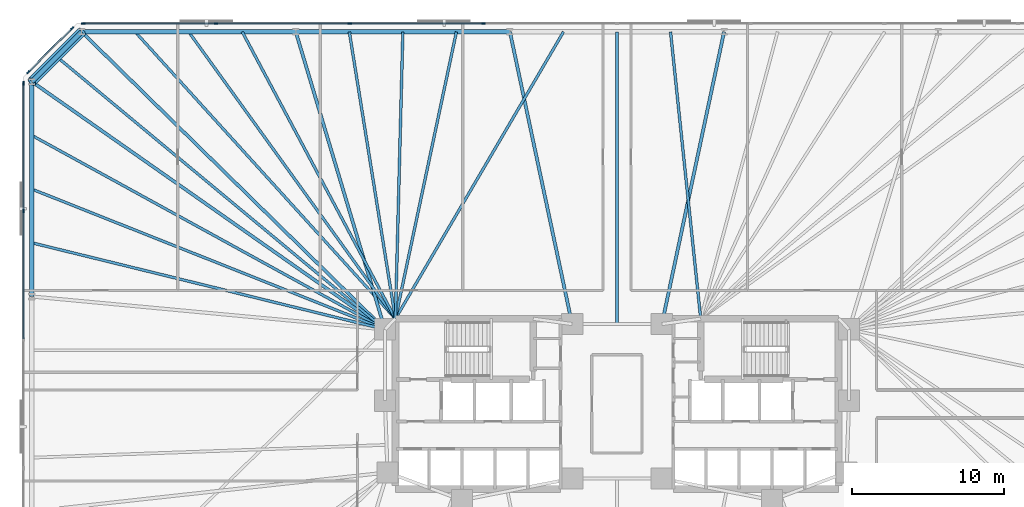
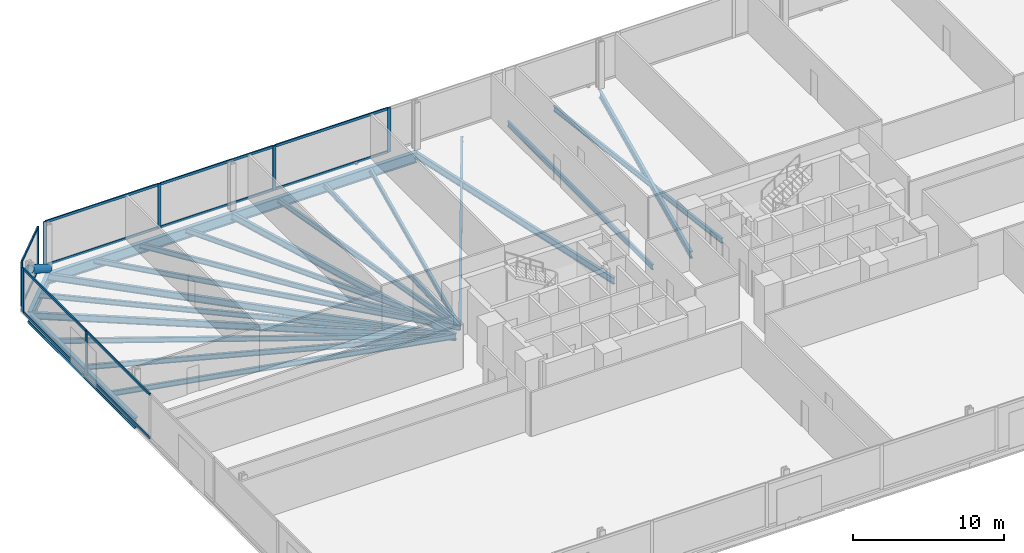
# One storey, part 8 of 16: 22 beams, 21 members, 3 elements without a shape of their own.
"""IFC4 building model written with IfcOpenShell, lengths in metres."""

from ifc_helpers import new_model, si_unit, direction, frame, origin, origin_2d, place, context, subcontext, project, spatial, rectangle, hollow_circle, i_section, extrude, material, material_profile, profile_set, type_object, element, aggregate, save


model = new_model("IFC4")

# Units and contexts
model_context = context("Model", 3, precision=1e-05, world=origin(), true_north=direction((0.0, 1.0)))
body_context = subcontext(model_context, "Body", "Model", "MODEL_VIEW")
ifc_project = project(units=[si_unit("LENGTHUNIT", "METRE"), si_unit("AREAUNIT", "SQUARE_METRE"), si_unit("VOLUMEUNIT", "CUBIC_METRE"), si_unit("PLANEANGLEUNIT", "RADIAN"), si_unit("MASSUNIT", "GRAM", prefix="KILO")], contexts=[model_context])

# Site, building, storey
site_placement = place(None, origin())
site = spatial("IfcSite", under=ifc_project, at=site_placement, CompositionType="ELEMENT")
building_placement = place(site_placement, origin())
building = spatial("IfcBuilding", under=site, at=building_placement, Name="Menara Jurai Vektor", CompositionType="ELEMENT")
storey_placement = place(building_placement, frame((0.0, 0.0, 33.199951171875)))
storey = spatial("IfcBuildingStorey", under=building, at=storey_placement, Name="L07", CompositionType="ELEMENT", Elevation=33.199951171875)

# Curtain wall, members
ifc_material_1 = material(Name="Anodised Pale Aluminium & Low-E Double Glazing", Category="aluminium")
curtain_wall_type = type_object("IfcCurtainWallType", Name="CW-BLK1", PredefinedType="NOTDEFINED", material=ifc_material_1)
curtain_wall_1_placement = place(storey_placement, origin())
curtain_wall_1 = element("IfcCurtainWall", 1, at=curtain_wall_1_placement, inside=storey, type_object=curtain_wall_type, Name="Unitised Curtain Wall L07 F05", PredefinedType="NOTDEFINED")
ifc_material_2 = material(Name="Anodised Pale Aluminium Mullion", Category="aluminium")
ifc_material_profile_1 = material_profile(ifc_material_2, rectangle(XDim=0.094970703125, YDim=0.239990234375, at=origin_2d()), Name="ALU MUL 95x240")
ifc_profile_set_1 = profile_set([ifc_material_profile_1], Name="Anodised Pale Aluminium Mullion")
member_type_1 = type_object("IfcMemberType", Name="CW-BLK1-MUL", PredefinedType="MULLION", material=ifc_profile_set_1)
member_1_placement = place(storey_placement, frame((-8.780029296875, 25.0, 0.0), z_axis=(0.0, 0.0, 1.0), x_axis=(0.0, -1.0, 0.0)))
member_1 = element("IfcMember", 2, at=member_1_placement, type_object=member_type_1, Name="CW-01 mullion 6", PredefinedType="MULLION", context=body_context, shape_type="SweptSolid", body=[
    extrude(rectangle(XDim=0.094970703125, YDim=0.239990234375, at=origin_2d()), origin(), (0.0, 0.0, 1.0), 3.574951171875),
])
member_2_placement = place(storey_placement, frame((-17.56005859375, 25.0, 0.0), z_axis=(0.0, 0.0, 1.0), x_axis=(0.0, -1.0, 0.0)))
member_2 = element("IfcMember", 3, at=member_2_placement, type_object=member_type_1, Name="CW-01 mullion 7", PredefinedType="MULLION", context=body_context, shape_type="SweptSolid", body=[
    extrude(rectangle(XDim=0.094970703125, YDim=0.239990234375, at=origin_2d()), origin(), (0.0, 0.0, 1.0), 3.574951171875),
])
member_3_placement = place(storey_placement, frame((-26.340087890625, 25.0, 0.0), z_axis=(0.0, 0.0, 1.0), x_axis=(0.0, -1.0, 0.0)))
member_3 = element("IfcMember", 4, at=member_3_placement, type_object=member_type_1, Name="CW-01 mullion 8", PredefinedType="MULLION", context=body_context, shape_type="SweptSolid", body=[
    extrude(rectangle(XDim=0.094970703125, YDim=0.239990234375, at=origin_2d()), origin(), (0.0, 0.0, 1.0), 3.574951171875),
])
member_4_placement = place(storey_placement, frame((-35.072509765625, 25.0, 0.0), z_axis=(0.0, 0.0, 1.0), x_axis=(0.0, -1.0, 0.0)))
member_4 = element("IfcMember", 5, at=member_4_placement, type_object=member_type_1, Name="CW-01 mullion 9", PredefinedType="MULLION", context=body_context, shape_type="SweptSolid", body=[
    extrude(rectangle(XDim=0.094970703125, YDim=0.239990234375, at=origin_2d()), origin(), (0.0, 0.0, 1.0), 3.574951171875),
])

curtain_wall_2_placement = place(storey_placement, origin())
curtain_wall_2 = element("IfcCurtainWall", 6, at=curtain_wall_2_placement, inside=storey, type_object=curtain_wall_type, Name="Unitised Curtain Wall L07 F06", PredefinedType="NOTDEFINED")
member_5_placement = place(storey_placement, frame((-35.80224609375, 24.69775390625, 0.0), z_axis=(0.0, 0.0, 1.0), x_axis=(0.707106781187, -0.707106781187, 0.0)))
member_5 = element("IfcMember", 7, at=member_5_placement, type_object=member_type_1, Name="CW-01 mullion 1", PredefinedType="MULLION", context=body_context, shape_type="SweptSolid", body=[
    extrude(rectangle(XDim=0.094970703125, YDim=0.239990234375, at=origin_2d()), origin(), (0.0, 0.0, 1.0), 3.574951171875),
])
member_6_placement = place(storey_placement, frame((-38.69775390625, 21.80224609375, 0.0), z_axis=(0.0, 0.0, 1.0), x_axis=(0.707106781187, -0.707106781187, 0.0)))
member_6 = element("IfcMember", 8, at=member_6_placement, type_object=member_type_1, Name="CW-01 mullion 2", PredefinedType="MULLION", context=body_context, shape_type="SweptSolid", body=[
    extrude(rectangle(XDim=0.094970703125, YDim=0.239990234375, at=origin_2d()), origin(), (0.0, 0.0, 1.0), 3.574951171875),
])

curtain_wall_3_placement = place(storey_placement, origin())
curtain_wall_3 = element("IfcCurtainWall", 9, at=curtain_wall_3_placement, inside=storey, type_object=curtain_wall_type, Name="Unitised Curtain Wall L07 F07", PredefinedType="NOTDEFINED")
member_7_placement = place(storey_placement, frame((-39.0, 21.072509765625, 0.0), z_axis=(0.0, 0.0, 1.0), x_axis=(1.0, 0.0, 0.0)))
member_7 = element("IfcMember", 10, at=member_7_placement, type_object=member_type_1, Name="CW-01 mullion 1", PredefinedType="MULLION", context=body_context, shape_type="SweptSolid", body=[
    extrude(rectangle(XDim=0.094970703125, YDim=0.239990234375, at=origin_2d()), origin(), (0.0, 0.0, 1.0), 3.574951171875),
])
member_8_placement = place(storey_placement, frame((-39.0, 12.672119140625, 0.0), z_axis=(0.0, 0.0, 1.0), x_axis=(1.0, 0.0, 0.0)))
member_8 = element("IfcMember", 11, at=member_8_placement, type_object=member_type_1, Name="CW-01 mullion 2", PredefinedType="MULLION", context=body_context, shape_type="SweptSolid", body=[
    extrude(rectangle(XDim=0.094970703125, YDim=0.239990234375, at=origin_2d()), origin(), (0.0, 0.0, 1.0), 3.574951171875),
])

# Member
ifc_material_3 = material(Name="Anodised Pale Aluminium Transom", Category="aluminium")
ifc_material_profile_2 = material_profile(ifc_material_3, rectangle(XDim=0.094970703125, YDim=0.199951171875, at=origin_2d()), Name="ALU TRN 95x200")
ifc_profile_set_2 = profile_set([ifc_material_profile_2], Name="Anodised Pale Aluminium Transom")
member_type_2 = type_object("IfcMemberType", Name="CW-BLK1-TRN", PredefinedType="USERDEFINED", material=ifc_profile_set_2)
member_9_placement = place(storey_placement, frame((-8.827392578125, 25.0, 0.047607421875), z_axis=(-1.0, 0.0, 0.0), x_axis=(0.0, -1.0, 0.0)))
member_9 = element("IfcMember", 12, at=member_9_placement, type_object=member_type_2, Name="CW-01 transom 6.1", ObjectType="TRANSOM", PredefinedType="USERDEFINED", context=body_context, shape_type="SweptSolid", body=[
    extrude(rectangle(XDim=0.094970703125, YDim=0.199951171875, at=origin_2d()), origin(), (0.0, 0.0, 1.0), 8.68505859375),
])

member_10_placement = place(storey_placement, frame((-8.827392578125, 25.0, 3.527587890625), z_axis=(-1.0, 0.0, 0.0), x_axis=(0.0, -1.0, 0.0)))
member_10 = element("IfcMember", 13, at=member_10_placement, type_object=member_type_2, Name="CW-01 transom 6.2", ObjectType="TRANSOM", PredefinedType="USERDEFINED", context=body_context, shape_type="SweptSolid", body=[
    extrude(rectangle(XDim=0.094970703125, YDim=0.199951171875, at=origin_2d()), origin(), (0.0, 0.0, 1.0), 8.68505859375),
])

member_11_placement = place(storey_placement, frame((-17.607421875, 25.0, 0.047607421875), z_axis=(-1.0, 0.0, 0.0), x_axis=(0.0, -1.0, 0.0)))
member_11 = element("IfcMember", 14, at=member_11_placement, type_object=member_type_2, Name="CW-01 transom 7.1", ObjectType="TRANSOM", PredefinedType="USERDEFINED", context=body_context, shape_type="SweptSolid", body=[
    extrude(rectangle(XDim=0.094970703125, YDim=0.199951171875, at=origin_2d()), origin(), (0.0, 0.0, 1.0), 8.68505859375),
])

member_12_placement = place(storey_placement, frame((-17.607421875, 25.0, 3.527587890625), z_axis=(-1.0, 0.0, 0.0), x_axis=(0.0, -1.0, 0.0)))
member_12 = element("IfcMember", 15, at=member_12_placement, type_object=member_type_2, Name="CW-01 transom 7.2", ObjectType="TRANSOM", PredefinedType="USERDEFINED", context=body_context, shape_type="SweptSolid", body=[
    extrude(rectangle(XDim=0.094970703125, YDim=0.199951171875, at=origin_2d()), origin(), (0.0, 0.0, 1.0), 8.68505859375),
])

member_13_placement = place(storey_placement, frame((-26.387451171875, 25.0, 0.047607421875), z_axis=(-1.0, 0.0, 0.0), x_axis=(0.0, -1.0, 0.0)))
member_13 = element("IfcMember", 16, at=member_13_placement, type_object=member_type_2, Name="CW-01 transom 8.1", ObjectType="TRANSOM", PredefinedType="USERDEFINED", context=body_context, shape_type="SweptSolid", body=[
    extrude(rectangle(XDim=0.094970703125, YDim=0.199951171875, at=origin_2d()), origin(), (0.0, 0.0, 1.0), 8.637451171875),
])

member_14_placement = place(storey_placement, frame((-26.387451171875, 25.0, 3.527587890625), z_axis=(-1.0, 0.0, 0.0), x_axis=(0.0, -1.0, 0.0)))
member_14 = element("IfcMember", 17, at=member_14_placement, type_object=member_type_2, Name="CW-01 transom 8.2", ObjectType="TRANSOM", PredefinedType="USERDEFINED", context=body_context, shape_type="SweptSolid", body=[
    extrude(rectangle(XDim=0.094970703125, YDim=0.199951171875, at=origin_2d()), origin(), (0.0, 0.0, 1.0), 8.637451171875),
])

aggregate(curtain_wall_1, [member_1, member_2, member_3, member_4, member_9, member_10, member_11, member_12, member_13, member_14])

member_15_placement = place(storey_placement, frame((-35.8359375, 24.6640625, 0.047607421875), z_axis=(-0.707106781187, -0.707106781187, 0.0), x_axis=(0.707106781187, -0.707106781187, 0.0)))
member_15 = element("IfcMember", 18, at=member_15_placement, type_object=member_type_2, Name="CW-01 transom 1.1", ObjectType="TRANSOM", PredefinedType="USERDEFINED", context=body_context, shape_type="SweptSolid", body=[
    extrude(rectangle(XDim=0.094970703125, YDim=0.199951171875, at=origin_2d()), origin(), (0.0, 0.0, 1.0), 3.99951171875),
])

member_16_placement = place(storey_placement, frame((-35.8359375, 24.6640625, 3.527587890625), z_axis=(-0.707106781187, -0.707106781187, 0.0), x_axis=(0.707106781187, -0.707106781187, 0.0)))
member_16 = element("IfcMember", 19, at=member_16_placement, type_object=member_type_2, Name="CW-01 transom 1.2", ObjectType="TRANSOM", PredefinedType="USERDEFINED", context=body_context, shape_type="SweptSolid", body=[
    extrude(rectangle(XDim=0.094970703125, YDim=0.199951171875, at=origin_2d()), origin(), (0.0, 0.0, 1.0), 3.99951171875),
])

aggregate(curtain_wall_2, [member_5, member_6, member_15, member_16])

member_17_placement = place(storey_placement, frame((-39.0, 21.02490234375, 0.047607421875), z_axis=(0.0, -1.0, 0.0), x_axis=(1.0, 0.0, 0.0)))
member_17 = element("IfcMember", 20, at=member_17_placement, type_object=member_type_2, Name="CW-01 transom 1.1", ObjectType="TRANSOM", PredefinedType="USERDEFINED", context=body_context, shape_type="SweptSolid", body=[
    extrude(rectangle(XDim=0.094970703125, YDim=0.199951171875, at=origin_2d()), origin(), (0.0, 0.0, 1.0), 8.305419921875),
])

member_18_placement = place(storey_placement, frame((-39.0, 21.02490234375, 3.527587890625), z_axis=(0.0, -1.0, 0.0), x_axis=(1.0, 0.0, 0.0)))
member_18 = element("IfcMember", 21, at=member_18_placement, type_object=member_type_2, Name="CW-01 transom 1.2", ObjectType="TRANSOM", PredefinedType="USERDEFINED", context=body_context, shape_type="SweptSolid", body=[
    extrude(rectangle(XDim=0.094970703125, YDim=0.199951171875, at=origin_2d()), origin(), (0.0, 0.0, 1.0), 8.305419921875),
])

member_19_placement = place(storey_placement, frame((-39.0, 12.62451171875, 0.047607421875), z_axis=(0.0, -1.0, 0.0), x_axis=(1.0, 0.0, 0.0)))
member_19 = element("IfcMember", 22, at=member_19_placement, type_object=member_type_2, Name="CW-01 transom 2.1", ObjectType="TRANSOM", PredefinedType="USERDEFINED", context=body_context, shape_type="SweptSolid", body=[
    extrude(rectangle(XDim=0.094970703125, YDim=0.199951171875, at=origin_2d()), origin(), (0.0, 0.0, 1.0), 8.35302734375),
])

member_20_placement = place(storey_placement, frame((-39.0, 12.62451171875, 3.527587890625), z_axis=(0.0, -1.0, 0.0), x_axis=(1.0, 0.0, 0.0)))
member_20 = element("IfcMember", 23, at=member_20_placement, type_object=member_type_2, Name="CW-01 transom 2.2", ObjectType="TRANSOM", PredefinedType="USERDEFINED", context=body_context, shape_type="SweptSolid", body=[
    extrude(rectangle(XDim=0.094970703125, YDim=0.199951171875, at=origin_2d()), origin(), (0.0, 0.0, 1.0), 8.35302734375),
])

aggregate(curtain_wall_3, [member_7, member_8, member_17, member_18, member_19, member_20])

# Beams
ifc_material_4 = material(Name="Steel S355", Category="steel")
ifc_material_profile_3 = material_profile(ifc_material_4, i_section(OverallWidth=0.2109375, OverallDepth=0.5390625, WebThickness=0.011962890625, FlangeThickness=0.01904296875, FilletRadius=0.012939453125, at=origin_2d()), Name="UKB 533x210x109")
ifc_profile_set_3 = profile_set([ifc_material_profile_3], Name="Steel S355")
beam_type_1 = type_object("IfcBeamType", Name="STR-BM-533", PredefinedType="BEAM", material=ifc_profile_set_3)
for number, where, z_axis, x_axis, name in (
    (24, (7.03564453125, 24.449951171875, -0.494384765625), (-0.2081367579, -0.978099734184, 0.0), (0.978099734184, -0.2081367579, 0.0), "Radial Floor Girder L07-N3"),
    (25, (-7.03564453125, 24.449951171875, -0.494384765625), (0.2081367579, -0.978099734184, 0.0), (0.978099734184, 0.2081367579, 0.0), "Radial Floor Girder L07-N4"),
):
    element("IfcBeam", number, at=place(storey_placement, frame(where, z_axis=z_axis, x_axis=x_axis)), inside=storey, type_object=beam_type_1, Name=name, PredefinedType="BEAM", context=body_context, shape_type="SweptSolid", body=[
        extrude(i_section(OverallWidth=0.2109375, OverallDepth=0.5390625, WebThickness=0.011962890625, FlangeThickness=0.01904296875, FilletRadius=0.012939453125, at=origin_2d()), origin(), (0.0, 0.0, 1.0), 19.6298828125),
    ])
beam_1_placement = place(storey_placement, frame((-21.106689453125, 24.449951171875, -0.494384765625), z_axis=(0.286973617166, -0.957938486047, 0.0), x_axis=(0.957938486047, 0.286973617166, 0.0)))
element("IfcBeam", 26, at=beam_1_placement, inside=storey, type_object=beam_type_1, Name="Radial Floor Girder L07-N5", PredefinedType="BEAM", context=body_context, shape_type="SweptSolid", body=[
    extrude(i_section(OverallWidth=0.2109375, OverallDepth=0.5390625, WebThickness=0.011962890625, FlangeThickness=0.01904296875, FilletRadius=0.012939453125, at=origin_2d()), origin(), (0.0, 0.0, 1.0), 20.408447265625),
])
beam_2_placement = place(storey_placement, frame((-35.177734375, 24.449951171875, -0.494384765625), z_axis=(0.713839032855, -0.700309813706, 0.0), x_axis=(0.700309813706, 0.713839032855, 0.0)))
element("IfcBeam", 27, at=beam_2_placement, inside=storey, type_object=beam_type_1, Name="Radial Floor Girder L07-N6", PredefinedType="BEAM", context=body_context, shape_type="SweptSolid", body=[
    extrude(i_section(OverallWidth=0.2109375, OverallDepth=0.5390625, WebThickness=0.011962890625, FlangeThickness=0.01904296875, FilletRadius=0.012939453125, at=origin_2d()), origin(), (0.0, 0.0, 1.0), 27.916259765625),
])
beam_3_placement = place(storey_placement, frame((-38.449951171875, 21.177734375, -0.494384765625), z_axis=(0.818603732445, -0.574358711283, 0.0), x_axis=(0.574358711283, 0.818603732445, 0.0)))
element("IfcBeam", 28, at=beam_3_placement, inside=storey, type_object=beam_type_1, Name="Radial Floor Girder L07-W1", PredefinedType="BEAM", context=body_context, shape_type="SweptSolid", body=[
    extrude(i_section(OverallWidth=0.2109375, OverallDepth=0.5390625, WebThickness=0.011962890625, FlangeThickness=0.01904296875, FilletRadius=0.012939453125, at=origin_2d()), origin(), (0.0, 0.0, 1.0), 28.3408203125),
])

# Member
ifc_material_5 = material(Name="Steel S460", Category="steel")
ifc_material_profile_4 = material_profile(ifc_material_5, hollow_circle(Radius=0.304931640625, WallThickness=0.02490234375, at=origin_2d()), Name="CHS 610x25")
ifc_profile_set_4 = profile_set([ifc_material_profile_4], Name="Steel S460")
member_type_3 = type_object("IfcMemberType", Name="STR-BR-610", PredefinedType="BRACE", material=ifc_profile_set_4)
member_21_placement = place(storey_placement, frame((-35.177734375, 24.449951171875, 0.150146484375), z_axis=(-0.588942422958, -0.588942422958, 0.553438022619), x_axis=(0.707106781187, -0.707106781187, 0.0)))
element("IfcMember", 29, at=member_21_placement, inside=storey, type_object=member_type_3, Name="Exoskeleton Corner Brace L07-3", PredefinedType="BRACE", context=body_context, shape_type="SweptSolid", body=[
    extrude(hollow_circle(Radius=0.304931640625, WallThickness=0.02490234375, at=origin_2d()), origin(), (0.0, 0.0, 1.0), 5.55615234375),
])

# Beams
ifc_material_profile_5 = material_profile(ifc_material_4, i_section(OverallWidth=0.178955078125, OverallDepth=0.408935546875, WebThickness=0.009033203125, FlangeThickness=0.013916015625, FilletRadius=0.010009765625, at=origin_2d()), Name="UKB 406x178x67")
ifc_profile_set_5 = profile_set([ifc_material_profile_5], Name="Steel S355")
beam_type_2 = type_object("IfcBeamType", Name="STR-JS-406", PredefinedType="JOIST", material=ifc_profile_set_5)
beam_4_placement = place(storey_placement, frame((3.517822265625, 24.449951171875, -0.429443359375), z_axis=(0.104579513969, -0.994516528399, 0.0), x_axis=(0.994516528399, 0.104579513969, 0.0)))
element("IfcBeam", 30, at=beam_4_placement, inside=storey, type_object=beam_type_2, Name="Radial Secondary Floor Joist L07-JS22", PredefinedType="JOIST", context=body_context, shape_type="SweptSolid", body=[
    extrude(i_section(OverallWidth=0.178955078125, OverallDepth=0.408935546875, WebThickness=0.009033203125, FlangeThickness=0.013916015625, FilletRadius=0.010009765625, at=origin_2d()), origin(), (0.0, 0.0, 1.0), 18.953857421875),
])
beam_5_placement = place(storey_placement, frame((0.0, 24.449951171875, -0.429443359375), z_axis=(0.0, -1.0, 0.0), x_axis=(1.0, 0.0, 0.0)))
element("IfcBeam", 31, at=beam_5_placement, inside=storey, type_object=beam_type_2, Name="Radial Secondary Floor Joist L07-JS23", PredefinedType="JOIST", context=body_context, shape_type="SweptSolid", body=[
    extrude(i_section(OverallWidth=0.178955078125, OverallDepth=0.408935546875, WebThickness=0.009033203125, FlangeThickness=0.013916015625, FilletRadius=0.010009765625, at=origin_2d()), origin(), (0.0, 0.0, 1.0), 19.199951171875),
])
beam_6_placement = place(storey_placement, frame((-3.517822265625, 24.449951171875, -0.429443359375), z_axis=(-0.505457909797, -0.862851262631, 0.0), x_axis=(0.862851262631, -0.505457909797, 0.0)))
element("IfcBeam", 32, at=beam_6_placement, inside=storey, type_object=beam_type_2, Name="Radial Secondary Floor Joist L07-JS24", PredefinedType="JOIST", context=body_context, shape_type="SweptSolid", body=[
    extrude(i_section(OverallWidth=0.178955078125, OverallDepth=0.408935546875, WebThickness=0.009033203125, FlangeThickness=0.013916015625, FilletRadius=0.010009765625, at=origin_2d()), origin(), (0.0, 0.0, 1.0), 21.845947265625),
])
beam_7_placement = place(storey_placement, frame((-10.55322265625, 24.449951171875, -0.429443359375), z_axis=(-0.207920423262, -0.978145744555, 0.0), x_axis=(0.978145744555, -0.207920423262, 0.0)))
element("IfcBeam", 33, at=beam_7_placement, inside=storey, type_object=beam_type_2, Name="Radial Secondary Floor Joist L07-JS25", PredefinedType="JOIST", context=body_context, shape_type="SweptSolid", body=[
    extrude(i_section(OverallWidth=0.178955078125, OverallDepth=0.408935546875, WebThickness=0.009033203125, FlangeThickness=0.013916015625, FilletRadius=0.010009765625, at=origin_2d()), origin(), (0.0, 0.0, 1.0), 19.27099609375),
])
beam_8_placement = place(storey_placement, frame((-14.071044921875, 24.449951171875, -0.429443359375), z_axis=(-0.02593384597, -0.999663661255, 0.0), x_axis=(0.999663661255, -0.02593384597, 0.0)))
element("IfcBeam", 34, at=beam_8_placement, inside=storey, type_object=beam_type_2, Name="Radial Secondary Floor Joist L07-JS26", PredefinedType="JOIST", context=body_context, shape_type="SweptSolid", body=[
    extrude(i_section(OverallWidth=0.178955078125, OverallDepth=0.408935546875, WebThickness=0.009033203125, FlangeThickness=0.013916015625, FilletRadius=0.010009765625, at=origin_2d()), origin(), (0.0, 0.0, 1.0), 18.856201171875),
])
beam_9_placement = place(storey_placement, frame((-17.5888671875, 24.449951171875, -0.429443359375), z_axis=(0.158645817656, -0.987335558227, 0.0), x_axis=(0.987335558227, 0.158645817656, 0.0)))
element("IfcBeam", 35, at=beam_9_placement, inside=storey, type_object=beam_type_2, Name="Radial Secondary Floor Joist L07-JS27", PredefinedType="JOIST", context=body_context, shape_type="SweptSolid", body=[
    extrude(i_section(OverallWidth=0.178955078125, OverallDepth=0.408935546875, WebThickness=0.009033203125, FlangeThickness=0.013916015625, FilletRadius=0.010009765625, at=origin_2d()), origin(), (0.0, 0.0, 1.0), 19.091552734375),
])
beam_10_placement = place(storey_placement, frame((-24.62451171875, 24.449951171875, -0.429443359375), z_axis=(0.470996174599, -0.882135252392, 0.0), x_axis=(0.882135252392, 0.470996174599, 0.0)))
element("IfcBeam", 36, at=beam_10_placement, inside=storey, type_object=beam_type_2, Name="Radial Secondary Floor Joist L07-JS28", PredefinedType="JOIST", context=body_context, shape_type="SweptSolid", body=[
    extrude(i_section(OverallWidth=0.178955078125, OverallDepth=0.408935546875, WebThickness=0.009033203125, FlangeThickness=0.013916015625, FilletRadius=0.010009765625, at=origin_2d()), origin(), (0.0, 0.0, 1.0), 21.368408203125),
])
beam_11_placement = place(storey_placement, frame((-28.142333984375, 24.449951171875, -0.429443359375), z_axis=(0.584598948369, -0.811322420229, 0.0), x_axis=(0.811322420229, 0.584598948369, 0.0)))
element("IfcBeam", 37, at=beam_11_placement, inside=storey, type_object=beam_type_2, Name="Radial Secondary Floor Joist L07-JS29", PredefinedType="JOIST", context=body_context, shape_type="SweptSolid", body=[
    extrude(i_section(OverallWidth=0.178955078125, OverallDepth=0.408935546875, WebThickness=0.009033203125, FlangeThickness=0.013916015625, FilletRadius=0.010009765625, at=origin_2d()), origin(), (0.0, 0.0, 1.0), 23.2333984375),
])
beam_12_placement = place(storey_placement, frame((-31.659912109375, 24.449951171875, -0.429443359375), z_axis=(0.671889844346, -0.740651089964, 0.0), x_axis=(0.740651089964, 0.671889844346, 0.0)))
element("IfcBeam", 38, at=beam_12_placement, inside=storey, type_object=beam_type_2, Name="Radial Secondary Floor Joist L07-JS30", PredefinedType="JOIST", context=body_context, shape_type="SweptSolid", body=[
    extrude(i_section(OverallWidth=0.178955078125, OverallDepth=0.408935546875, WebThickness=0.009033203125, FlangeThickness=0.013916015625, FilletRadius=0.010009765625, at=origin_2d()), origin(), (0.0, 0.0, 1.0), 25.450439453125),
])
beam_13_placement = place(storey_placement, frame((-36.81396484375, 22.81396484375, -0.429443359375), z_axis=(0.769201173096, -0.639006694259, 0.0), x_axis=(0.639006694259, 0.769201173096, 0.0)))
element("IfcBeam", 39, at=beam_13_placement, inside=storey, type_object=beam_type_2, Name="Radial Secondary Floor Joist L07-JS31", PredefinedType="JOIST", context=body_context, shape_type="SweptSolid", body=[
    extrude(i_section(OverallWidth=0.178955078125, OverallDepth=0.408935546875, WebThickness=0.009033203125, FlangeThickness=0.013916015625, FilletRadius=0.010009765625, at=origin_2d()), origin(), (0.0, 0.0, 1.0), 28.0341796875),
])
beam_14_placement = place(storey_placement, frame((-38.449951171875, 17.648193359375, -0.429443359375), z_axis=(0.87640219057, -0.481579900291, 0.0), x_axis=(0.481579900291, 0.87640219057, 0.0)))
element("IfcBeam", 40, at=beam_14_placement, inside=storey, type_object=beam_type_2, Name="Radial Secondary Floor Joist L07-JS32", PredefinedType="JOIST", context=body_context, shape_type="SweptSolid", body=[
    extrude(i_section(OverallWidth=0.178955078125, OverallDepth=0.408935546875, WebThickness=0.009033203125, FlangeThickness=0.013916015625, FilletRadius=0.010009765625, at=origin_2d()), origin(), (0.0, 0.0, 1.0), 26.471923828125),
])
beam_15_placement = place(storey_placement, frame((-38.449951171875, 14.118408203125, -0.429443359375), z_axis=(0.929323400723, -0.369266864027, 0.0), x_axis=(0.369266864027, 0.929323400723, 0.0)))
element("IfcBeam", 41, at=beam_15_placement, inside=storey, type_object=beam_type_2, Name="Radial Secondary Floor Joist L07-JS33", PredefinedType="JOIST", context=body_context, shape_type="SweptSolid", body=[
    extrude(i_section(OverallWidth=0.178955078125, OverallDepth=0.408935546875, WebThickness=0.009033203125, FlangeThickness=0.013916015625, FilletRadius=0.010009765625, at=origin_2d()), origin(), (0.0, 0.0, 1.0), 24.96435546875),
])
beam_16_placement = place(storey_placement, frame((-38.449951171875, 10.5888671875, -0.429443359375), z_axis=(0.971226234641, -0.238158772976, 0.0), x_axis=(0.238158772976, 0.971226234641, 0.0)))
element("IfcBeam", 42, at=beam_16_placement, inside=storey, type_object=beam_type_2, Name="Radial Secondary Floor Joist L07-JS34", PredefinedType="JOIST", context=body_context, shape_type="SweptSolid", body=[
    extrude(i_section(OverallWidth=0.178955078125, OverallDepth=0.408935546875, WebThickness=0.009033203125, FlangeThickness=0.013916015625, FilletRadius=0.010009765625, at=origin_2d()), origin(), (0.0, 0.0, 1.0), 23.88720703125),
])
ifc_material_profile_6 = material_profile(ifc_material_5, i_section(OverallWidth=0.2939453125, OverallDepth=0.85107421875, WebThickness=0.01611328125, FlangeThickness=0.027099609375, FilletRadius=0.01806640625, at=origin_2d()), Name="UKB 838x292x226")
ifc_profile_set_6 = profile_set([ifc_material_profile_6], Name="Steel S460")
beam_type_3 = type_object("IfcBeamType", Name="STR-SP-838", PredefinedType="SPANDREL", material=ifc_profile_set_6)
for number, where, z_axis, x_axis, name in (
    (43, (-7.03564453125, 24.449951171875, -0.650390625), (-1.0, 0.0, 0.0), (0.0, -1.0, 0.0), "Exoskeleton Spandrel Beam L07-14"),
    (44, (-21.106689453125, 24.449951171875, -0.650390625), (-1.0, 0.0, 0.0), (0.0, -1.0, 0.0), "Exoskeleton Spandrel Beam L07-15"),
):
    element("IfcBeam", number, at=place(storey_placement, frame(where, z_axis=z_axis, x_axis=x_axis)), inside=storey, type_object=beam_type_3, Name=name, PredefinedType="SPANDREL", context=body_context, shape_type="SweptSolid", body=[
        extrude(i_section(OverallWidth=0.2939453125, OverallDepth=0.85107421875, WebThickness=0.01611328125, FlangeThickness=0.027099609375, FilletRadius=0.01806640625, at=origin_2d()), origin(), (0.0, 0.0, 1.0), 14.071044921875),
    ])
beam_17_placement = place(storey_placement, frame((-35.177734375, 24.449951171875, -0.650390625), z_axis=(-0.707106781187, -0.707106781187, 0.0), x_axis=(0.707106781187, -0.707106781187, 0.0)))
element("IfcBeam", 45, at=beam_17_placement, inside=storey, type_object=beam_type_3, Name="Exoskeleton Spandrel Beam L07-16", PredefinedType="SPANDREL", context=body_context, shape_type="SweptSolid", body=[
    extrude(i_section(OverallWidth=0.2939453125, OverallDepth=0.85107421875, WebThickness=0.01611328125, FlangeThickness=0.027099609375, FilletRadius=0.01806640625, at=origin_2d()), origin(), (0.0, 0.0, 1.0), 4.627685546875),
])
beam_18_placement = place(storey_placement, frame((-38.449951171875, 21.177734375, -0.650390625), z_axis=(0.0, -1.0, 0.0), x_axis=(1.0, 0.0, 0.0)))
element("IfcBeam", 46, at=beam_18_placement, inside=storey, type_object=beam_type_3, Name="Exoskeleton Spandrel Beam L07-17", PredefinedType="SPANDREL", context=body_context, shape_type="SweptSolid", body=[
    extrude(i_section(OverallWidth=0.2939453125, OverallDepth=0.85107421875, WebThickness=0.01611328125, FlangeThickness=0.027099609375, FilletRadius=0.01806640625, at=origin_2d()), origin(), (0.0, 0.0, 1.0), 14.118408203125),
])

save(model, "model.ifc")
